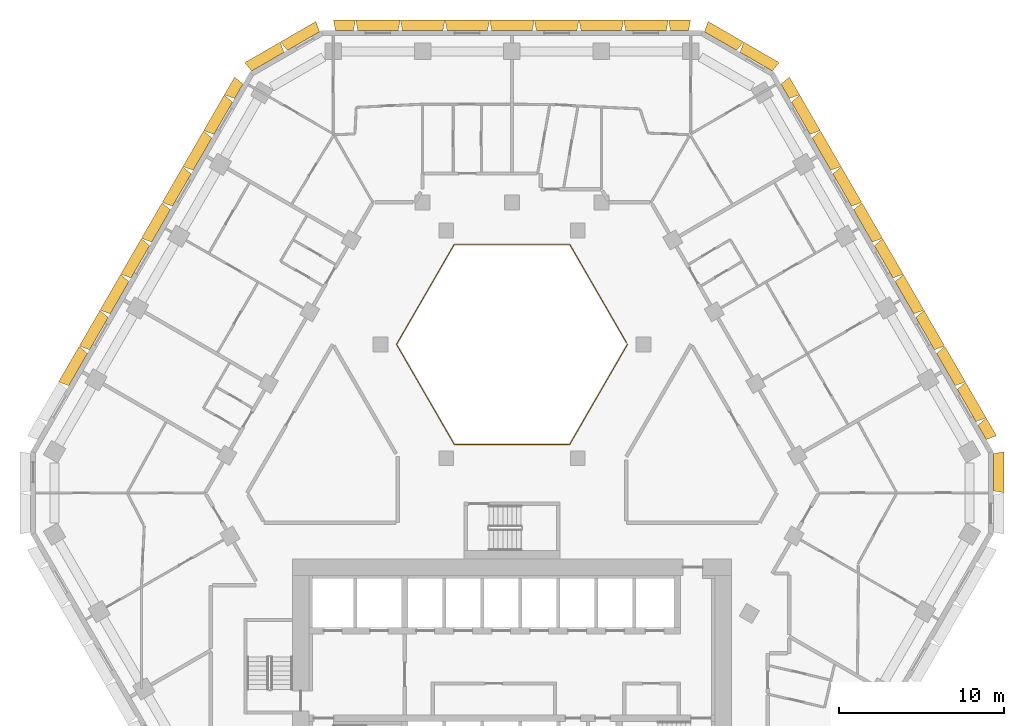
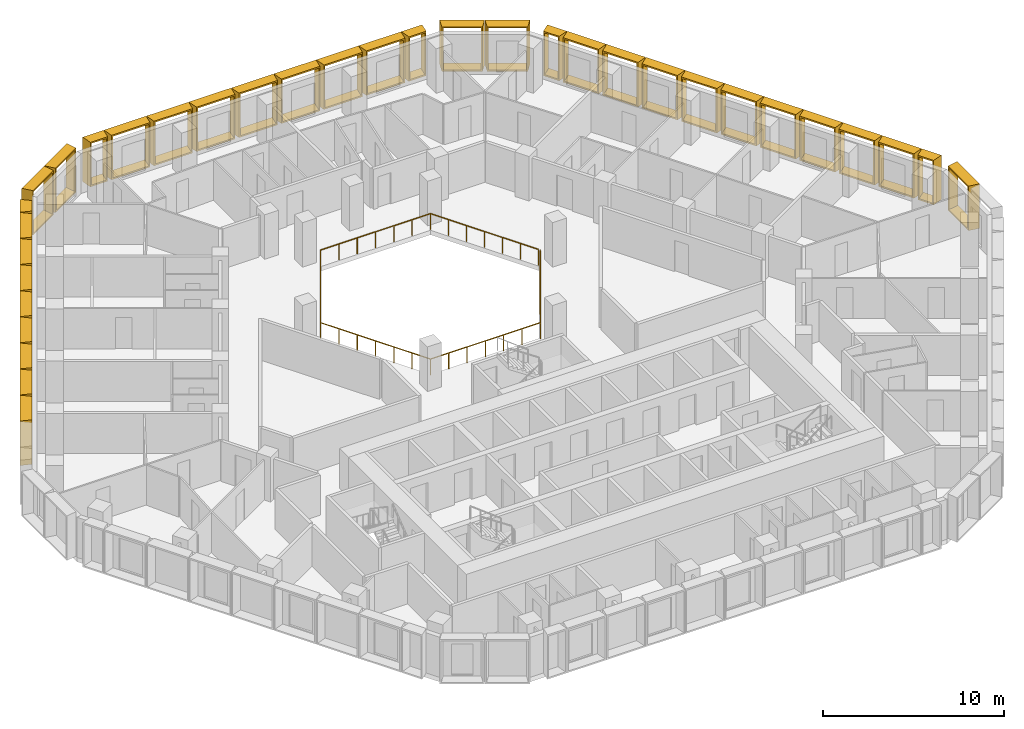
# One storey, part 15 of 15: 34 shading devices, 1 railing.
"""IFC4 building model written with IfcOpenShell, lengths in metres."""

from ifc_helpers import new_model, entity, si_unit, direction, frame, origin, origin_2d, place, context, subcontext, project, spatial, rectangle, extrude, source, transform, mapped, material, type_object, type_shapes, element, save


model = new_model("IFC4")

# Units and contexts
model_context = context("Model", 3, precision=1e-05, world=origin(), true_north=direction((0.0, 1.0)))
body_context = subcontext(model_context, "Body", "Model", "MODEL_VIEW")
ifc_project = project(units=[si_unit("LENGTHUNIT", "METRE"), si_unit("AREAUNIT", "SQUARE_METRE"), si_unit("VOLUMEUNIT", "CUBIC_METRE"), si_unit("PLANEANGLEUNIT", "RADIAN"), si_unit("MASSUNIT", "GRAM", prefix="KILO")], contexts=[model_context])

# Site, building, storey
site_placement = place(None, origin())
site = spatial("IfcSite", under=ifc_project, at=site_placement, CompositionType="ELEMENT")
building_placement = place(site_placement, origin())
building = spatial("IfcBuilding", under=site, at=building_placement, Name="Beryl Residences", CompositionType="ELEMENT")
storey_placement = place(building_placement, frame((0.0, 0.0, 84.0)))
storey = spatial("IfcBuildingStorey", under=building, at=storey_placement, Name="L25", CompositionType="ELEMENT", Elevation=84.0)

# Railing
ifc_material_1 = material(Name="Stainless steel balustrade with glass infill", Category="steel")
railing_type = type_object("IfcRailingType", Name="EG1 edge guard 1100 mm", PredefinedType="GUARDRAIL", material=ifc_material_1)
railing_placement = place(storey_placement, frame((6.9970703125, 8.0, 0.0)))
element("IfcRailing", 1, at=railing_placement, inside=storey, type_object=railing_type, Name="L25 atrium guard", PredefinedType="GUARDRAIL", context=body_context, shape_type="SweptSolid", body=[
    extrude(rectangle(XDim=0.048095703125, YDim=0.048095703125, at=origin_2d()), frame((0.0, 0.0, 1.076171875), z_axis=(-0.499921796684, -0.866070549782, 0.0), x_axis=(0.866070549782, -0.499921796684, 0.0)), (0.0, 0.0, 1.0), 6.9970703125),
    extrude(rectangle(XDim=0.048095703125, YDim=0.048095703125, at=origin_2d()), frame((-3.498046875, -6.06005859375, 1.076171875), z_axis=(-1.0, 0.0, 0.0), x_axis=(0.0, -1.0, 0.0)), (0.0, 0.0, 1.0), 6.998046875),
    extrude(rectangle(XDim=0.048095703125, YDim=0.048095703125, at=origin_2d()), frame((-10.49609375, -6.06005859375, 1.076171875), z_axis=(-0.499921796684, 0.866070549782, 0.0), x_axis=(-0.866070549782, -0.499921796684, 0.0)), (0.0, 0.0, 1.0), 6.9970703125),
    extrude(rectangle(XDim=0.048095703125, YDim=0.048095703125, at=origin_2d()), frame((-13.994140625, 0.0, 1.076171875), z_axis=(0.499921796684, 0.866070549782, 0.0), x_axis=(-0.866070549782, 0.499921796684, 0.0)), (0.0, 0.0, 1.0), 6.9970703125),
    extrude(rectangle(XDim=0.048095703125, YDim=0.048095703125, at=origin_2d()), frame((-10.49609375, 6.06005859375, 1.076171875), z_axis=(1.0, 0.0, 0.0), x_axis=(0.0, 1.0, 0.0)), (0.0, 0.0, 1.0), 6.998046875),
    extrude(rectangle(XDim=0.048095703125, YDim=0.048095703125, at=origin_2d()), frame((-3.498046875, 6.06005859375, 1.076171875), z_axis=(0.499919131929, -0.866072087953, 0.0), x_axis=(0.866072087953, 0.499919131929, 0.0)), (0.0, 0.0, 1.0), 6.877197265625),
    extrude(rectangle(XDim=0.0419921875, YDim=0.0419921875, at=origin_2d()), origin(), (0.0, 0.0, 1.0), 1.052001953125),
    extrude(rectangle(XDim=0.0419921875, YDim=0.0419921875, at=origin_2d()), frame((-0.5830078125, -1.010009765625, 0.0)), (0.0, 0.0, 1.0), 1.052001953125),
    extrude(rectangle(XDim=0.0419921875, YDim=0.0419921875, at=origin_2d()), frame((-1.166015625, -2.02001953125, 0.0)), (0.0, 0.0, 1.0), 1.052001953125),
    extrude(rectangle(XDim=0.0419921875, YDim=0.0419921875, at=origin_2d()), frame((-1.7490234375, -3.030029296875, 0.0)), (0.0, 0.0, 1.0), 1.052001953125),
    extrude(rectangle(XDim=0.0419921875, YDim=0.0419921875, at=origin_2d()), frame((-2.33203125, -4.0400390625, 0.0)), (0.0, 0.0, 1.0), 1.052001953125),
    extrude(rectangle(XDim=0.0419921875, YDim=0.0419921875, at=origin_2d()), frame((-2.9150390625, -5.050048828125, 0.0)), (0.0, 0.0, 1.0), 1.052001953125),
    extrude(rectangle(XDim=0.0419921875, YDim=0.0419921875, at=origin_2d()), frame((-3.498046875, -6.06005859375, 0.0)), (0.0, 0.0, 1.0), 1.052001953125),
    extrude(rectangle(XDim=0.0419921875, YDim=0.0419921875, at=origin_2d()), frame((-4.664306640625, -6.06005859375, 0.0)), (0.0, 0.0, 1.0), 1.052001953125),
    extrude(rectangle(XDim=0.0419921875, YDim=0.0419921875, at=origin_2d()), frame((-5.830810546875, -6.06005859375, 0.0)), (0.0, 0.0, 1.0), 1.052001953125),
    extrude(rectangle(XDim=0.0419921875, YDim=0.0419921875, at=origin_2d()), frame((-6.9970703125, -6.06005859375, 0.0)), (0.0, 0.0, 1.0), 1.052001953125),
    extrude(rectangle(XDim=0.0419921875, YDim=0.0419921875, at=origin_2d()), frame((-8.163330078125, -6.06005859375, 0.0)), (0.0, 0.0, 1.0), 1.052001953125),
    extrude(rectangle(XDim=0.0419921875, YDim=0.0419921875, at=origin_2d()), frame((-9.329833984375, -6.06005859375, 0.0)), (0.0, 0.0, 1.0), 1.052001953125),
    extrude(rectangle(XDim=0.0419921875, YDim=0.0419921875, at=origin_2d()), frame((-10.49609375, -6.06005859375, 0.0)), (0.0, 0.0, 1.0), 1.052001953125),
    extrude(rectangle(XDim=0.0419921875, YDim=0.0419921875, at=origin_2d()), frame((-11.0791015625, -5.050048828125, 0.0)), (0.0, 0.0, 1.0), 1.052001953125),
    extrude(rectangle(XDim=0.0419921875, YDim=0.0419921875, at=origin_2d()), frame((-11.662109375, -4.0400390625, 0.0)), (0.0, 0.0, 1.0), 1.052001953125),
    extrude(rectangle(XDim=0.0419921875, YDim=0.0419921875, at=origin_2d()), frame((-12.2451171875, -3.030029296875, 0.0)), (0.0, 0.0, 1.0), 1.052001953125),
    extrude(rectangle(XDim=0.0419921875, YDim=0.0419921875, at=origin_2d()), frame((-12.828125, -2.02001953125, 0.0)), (0.0, 0.0, 1.0), 1.052001953125),
    extrude(rectangle(XDim=0.0419921875, YDim=0.0419921875, at=origin_2d()), frame((-13.4111328125, -1.010009765625, 0.0)), (0.0, 0.0, 1.0), 1.052001953125),
    extrude(rectangle(XDim=0.0419921875, YDim=0.0419921875, at=origin_2d()), frame((-13.994140625, 0.0, 0.0)), (0.0, 0.0, 1.0), 1.052001953125),
    extrude(rectangle(XDim=0.0419921875, YDim=0.0419921875, at=origin_2d()), frame((-13.4111328125, 1.010009765625, 0.0)), (0.0, 0.0, 1.0), 1.052001953125),
    extrude(rectangle(XDim=0.0419921875, YDim=0.0419921875, at=origin_2d()), frame((-12.828125, 2.02001953125, 0.0)), (0.0, 0.0, 1.0), 1.052001953125),
    extrude(rectangle(XDim=0.0419921875, YDim=0.0419921875, at=origin_2d()), frame((-12.2451171875, 3.030029296875, 0.0)), (0.0, 0.0, 1.0), 1.052001953125),
    extrude(rectangle(XDim=0.0419921875, YDim=0.0419921875, at=origin_2d()), frame((-11.662109375, 4.0400390625, 0.0)), (0.0, 0.0, 1.0), 1.052001953125),
    extrude(rectangle(XDim=0.0419921875, YDim=0.0419921875, at=origin_2d()), frame((-11.0791015625, 5.050048828125, 0.0)), (0.0, 0.0, 1.0), 1.052001953125),
    extrude(rectangle(XDim=0.0419921875, YDim=0.0419921875, at=origin_2d()), frame((-10.49609375, 6.06005859375, 0.0)), (0.0, 0.0, 1.0), 1.052001953125),
    extrude(rectangle(XDim=0.0419921875, YDim=0.0419921875, at=origin_2d()), frame((-9.329833984375, 6.06005859375, 0.0)), (0.0, 0.0, 1.0), 1.052001953125),
    extrude(rectangle(XDim=0.0419921875, YDim=0.0419921875, at=origin_2d()), frame((-8.163330078125, 6.06005859375, 0.0)), (0.0, 0.0, 1.0), 1.052001953125),
    extrude(rectangle(XDim=0.0419921875, YDim=0.0419921875, at=origin_2d()), frame((-6.9970703125, 6.06005859375, 0.0)), (0.0, 0.0, 1.0), 1.052001953125),
    extrude(rectangle(XDim=0.0419921875, YDim=0.0419921875, at=origin_2d()), frame((-5.830810546875, 6.06005859375, 0.0)), (0.0, 0.0, 1.0), 1.052001953125),
    extrude(rectangle(XDim=0.0419921875, YDim=0.0419921875, at=origin_2d()), frame((-4.664306640625, 6.06005859375, 0.0)), (0.0, 0.0, 1.0), 1.052001953125),
    extrude(rectangle(XDim=0.0419921875, YDim=0.0419921875, at=origin_2d()), frame((-3.498046875, 6.06005859375, 0.0)), (0.0, 0.0, 1.0), 1.052001953125),
    extrude(rectangle(XDim=0.0419921875, YDim=0.0419921875, at=origin_2d()), frame((-2.925048828125, 5.0673828125, 0.0)), (0.0, 0.0, 1.0), 1.052001953125),
    extrude(rectangle(XDim=0.0419921875, YDim=0.0419921875, at=origin_2d()), frame((-2.35205078125, 4.07470703125, 0.0)), (0.0, 0.0, 1.0), 1.052001953125),
    extrude(rectangle(XDim=0.0419921875, YDim=0.0419921875, at=origin_2d()), frame((-1.779052734375, 3.08203125, 0.0)), (0.0, 0.0, 1.0), 1.052001953125),
    extrude(rectangle(XDim=0.0419921875, YDim=0.0419921875, at=origin_2d()), frame((-1.2060546875, 2.08935546875, 0.0)), (0.0, 0.0, 1.0), 1.052001953125),
    extrude(rectangle(XDim=0.0419921875, YDim=0.0419921875, at=origin_2d()), frame((-0.633056640625, 1.0966796875, 0.0)), (0.0, 0.0, 1.0), 1.052001953125),
    extrude(rectangle(XDim=0.0419921875, YDim=0.0419921875, at=origin_2d()), frame((-0.06005859375, 0.10400390625, 0.0)), (0.0, 0.0, 1.0), 1.052001953125),
])

# Shading devices
ifc_material_2 = material(Name="Aluminium pale anodised", Category="aluminium")
shading_device_type_1 = type_object("IfcShadingDeviceType", Name="FR126-65A OUTER SKIN frame 650 mm deep, splay 10/10 deg, 1260 x 3000 mm cell", PredefinedType="USERDEFINED", material=ifc_material_2)
cartesian_point_1 = entity("IfcCartesianPoint", [-0.5048828125, 0.0])
cartesian_point_2 = entity("IfcCartesianPoint", [-0.423828125, 0.10009765625])
cartesian_point_3 = entity("IfcCartesianPoint", [-0.61962890625, 0.0])
cartesian_point_4 = entity("IfcCartesianPoint", [-0.538330078125, 0.10009765625])
shared_shape_1 = source(origin(), body_context, "Body", "SweptSolid", [
    entity("IfcExtrudedAreaSolidTapered", entity("IfcArbitraryProfileDefWithVoids", "AREA", None, entity("IfcPolyline", [cartesian_point_1, entity("IfcCartesianPoint", [0.5048828125, 0.0]), entity("IfcCartesianPoint", [0.5048828125, 3.0]), entity("IfcCartesianPoint", [-0.5048828125, 3.0]), cartesian_point_1]), [entity("IfcPolyline", [cartesian_point_2, entity("IfcCartesianPoint", [0.423828125, 0.10009765625]), entity("IfcCartesianPoint", [0.423828125, 2.89990234375]), entity("IfcCartesianPoint", [-0.423828125, 2.89990234375]), cartesian_point_2])]), entity("IfcAxis2Placement3D", entity("IfcCartesianPoint", [0.0, 0.0, 0.0]), entity("IfcDirection", [0.0, 1.0, 0.0]), entity("IfcDirection", [-1.0, 0.0, 0.0])), entity("IfcDirection", [0.0, 0.0, 1.0]), 0.64990234375, entity("IfcArbitraryProfileDefWithVoids", "AREA", None, entity("IfcPolyline", [cartesian_point_3, entity("IfcCartesianPoint", [0.61962890625, 0.0]), entity("IfcCartesianPoint", [0.61962890625, 3.0]), entity("IfcCartesianPoint", [-0.61962890625, 3.0]), cartesian_point_3]), [entity("IfcPolyline", [cartesian_point_4, entity("IfcCartesianPoint", [0.538330078125, 0.10009765625]), entity("IfcCartesianPoint", [0.538330078125, 2.89990234375]), entity("IfcCartesianPoint", [-0.538330078125, 2.89990234375]), cartesian_point_4])])),
])
type_shapes(shading_device_type_1, [shared_shape_1])
for number, where, z_axis, x_axis, name in (
    (2, (-16.552001953125, 23.33203125, 0.0), (0.0, 0.0, 1.0), (0.5, 0.866025403784, 0.0), "FR126-65A frame L25 NW 1"),
    (3, (28.48193359375, 2.66796875, 0.0), (0.0, 0.0, 1.0), (0.5, -0.866025403784, 0.0), "FR126-65A frame L25 NE 1"),
    (4, (16.552001953125, 23.3310546875, 0.0), (0.0, 0.0, 1.0), (0.5, -0.866025403784, 0.0), "FR126-65A frame L25 NE 11"),
):
    element("IfcShadingDevice", number, at=place(storey_placement, frame(where, z_axis=z_axis, x_axis=x_axis)), inside=storey, type_object=shading_device_type_1, Name=name, ObjectType="OUTER SKIN", PredefinedType="USERDEFINED", context=body_context, shape_type="MappedRepresentation", body=[
        mapped(shared_shape_1, transform((0.0, 0.0, 0.0))),
    ])
ifc_material_3 = material(Name="Aluminium pale anodised", Category="aluminium")
shading_device_type_2 = type_object("IfcShadingDeviceType", Name="FR135-65A OUTER SKIN frame 650 mm deep, splay 10/10 deg, 1350 x 3000 mm cell", PredefinedType="USERDEFINED", material=ifc_material_3)
cartesian_point_5 = entity("IfcCartesianPoint", [-0.550048828125, 0.0])
cartesian_point_6 = entity("IfcCartesianPoint", [-0.46875, 0.10009765625])
cartesian_point_7 = entity("IfcCartesianPoint", [-0.66455078125, 0.0])
cartesian_point_8 = entity("IfcCartesianPoint", [-0.58349609375, 0.10009765625])
shared_shape_2 = source(origin(), body_context, "Body", "SweptSolid", [
    entity("IfcExtrudedAreaSolidTapered", entity("IfcArbitraryProfileDefWithVoids", "AREA", None, entity("IfcPolyline", [cartesian_point_5, entity("IfcCartesianPoint", [0.550048828125, 0.0]), entity("IfcCartesianPoint", [0.550048828125, 3.0]), entity("IfcCartesianPoint", [-0.550048828125, 3.0]), cartesian_point_5]), [entity("IfcPolyline", [cartesian_point_6, entity("IfcCartesianPoint", [0.46875, 0.10009765625]), entity("IfcCartesianPoint", [0.46875, 2.89990234375]), entity("IfcCartesianPoint", [-0.46875, 2.89990234375]), cartesian_point_6])]), entity("IfcAxis2Placement3D", entity("IfcCartesianPoint", [0.0, 0.0, 0.0]), entity("IfcDirection", [0.0, 1.0, 0.0]), entity("IfcDirection", [-1.0, 0.0, 0.0])), entity("IfcDirection", [0.0, 0.0, 1.0]), 0.64990234375, entity("IfcArbitraryProfileDefWithVoids", "AREA", None, entity("IfcPolyline", [cartesian_point_7, entity("IfcCartesianPoint", [0.66455078125, 0.0]), entity("IfcCartesianPoint", [0.66455078125, 3.0]), entity("IfcCartesianPoint", [-0.66455078125, 3.0]), cartesian_point_7]), [entity("IfcPolyline", [cartesian_point_8, entity("IfcCartesianPoint", [0.58349609375, 0.10009765625]), entity("IfcCartesianPoint", [0.58349609375, 2.89990234375]), entity("IfcCartesianPoint", [-0.58349609375, 2.89990234375]), cartesian_point_8])])),
])
type_shapes(shading_device_type_2, [shared_shape_2])
for number, where, z_axis, x_axis, name in (
    (5, (10.14794921875, 27.0, 0.0), (0.0, 0.0, 1.0), (1.0, 0.0, 0.0), "FR135-65A frame L25 N 1"),
    (6, (-10.14990234375, 27.0, 0.0), (0.0, 0.0, 1.0), (1.0, 0.0, 0.0), "FR135-65A frame L25 N 9"),
):
    element("IfcShadingDevice", number, at=place(storey_placement, frame(where, z_axis=z_axis, x_axis=x_axis)), inside=storey, type_object=shading_device_type_2, Name=name, ObjectType="OUTER SKIN", PredefinedType="USERDEFINED", context=body_context, shape_type="MappedRepresentation", body=[
        mapped(shared_shape_2, transform((0.0, 0.0, 0.0))),
    ])
ifc_material_4 = material(Name="Aluminium pale anodised", Category="aluminium")
shading_device_type_3 = type_object("IfcShadingDeviceType", Name="FR250-65A OUTER SKIN frame 650 mm deep, splay 10/10 deg, 2500 x 3000 mm cell", PredefinedType="USERDEFINED", material=ifc_material_4)
cartesian_point_9 = entity("IfcCartesianPoint", [-1.125, 0.0])
cartesian_point_10 = entity("IfcCartesianPoint", [-1.043701171875, 0.10009765625])
cartesian_point_11 = entity("IfcCartesianPoint", [-1.239501953125, 0.0])
cartesian_point_12 = entity("IfcCartesianPoint", [-1.158447265625, 0.10009765625])
shared_shape_3 = source(origin(), body_context, "Body", "SweptSolid", [
    entity("IfcExtrudedAreaSolidTapered", entity("IfcArbitraryProfileDefWithVoids", "AREA", None, entity("IfcPolyline", [cartesian_point_9, entity("IfcCartesianPoint", [1.125, 0.0]), entity("IfcCartesianPoint", [1.125, 3.0]), entity("IfcCartesianPoint", [-1.125, 3.0]), cartesian_point_9]), [entity("IfcPolyline", [cartesian_point_10, entity("IfcCartesianPoint", [1.043701171875, 0.10009765625]), entity("IfcCartesianPoint", [1.043701171875, 2.89990234375]), entity("IfcCartesianPoint", [-1.043701171875, 2.89990234375]), cartesian_point_10])]), entity("IfcAxis2Placement3D", entity("IfcCartesianPoint", [0.0, 0.0, 0.0]), entity("IfcDirection", [0.0, 1.0, 0.0]), entity("IfcDirection", [-1.0, 0.0, 0.0])), entity("IfcDirection", [0.0, 0.0, 1.0]), 0.64990234375, entity("IfcArbitraryProfileDefWithVoids", "AREA", None, entity("IfcPolyline", [cartesian_point_11, entity("IfcCartesianPoint", [1.239501953125, 0.0]), entity("IfcCartesianPoint", [1.239501953125, 3.0]), entity("IfcCartesianPoint", [-1.239501953125, 3.0]), cartesian_point_11]), [entity("IfcPolyline", [cartesian_point_12, entity("IfcCartesianPoint", [1.158447265625, 0.10009765625]), entity("IfcCartesianPoint", [1.158447265625, 2.89990234375]), entity("IfcCartesianPoint", [-1.158447265625, 2.89990234375]), cartesian_point_12])])),
])
type_shapes(shading_device_type_3, [shared_shape_3])
for number, where, z_axis, x_axis, name in (
    (7, (-12.6298828125, 26.375, 0.0), (0.0, 0.0, 1.0), (0.866025403784, 0.5, 0.0), "FR250-65A frame L25 N-NW 1"),
    (8, (-14.7939453125, 25.125, 0.0), (0.0, 0.0, 1.0), (0.866025403784, 0.5, 0.0), "FR250-65A frame L25 N-NW 2"),
    (9, (29.156982421875, 0.25, 0.0), (0.0, 0.0, 1.0), (0.0, -1.0, 0.0), "FR250-65A frame L25 SE-NE 2"),
    (10, (14.7939453125, 25.125, 0.0), (0.0, 0.0, 1.0), (0.866025403784, -0.5, 0.0), "FR250-65A frame L25 NE-N 1"),
    (11, (12.6298828125, 26.375, 0.0), (0.0, 0.0, 1.0), (0.866025403784, -0.5, 0.0), "FR250-65A frame L25 NE-N 2"),
):
    element("IfcShadingDevice", number, at=place(storey_placement, frame(where, z_axis=z_axis, x_axis=x_axis)), inside=storey, type_object=shading_device_type_3, Name=name, ObjectType="OUTER SKIN", PredefinedType="USERDEFINED", context=body_context, shape_type="MappedRepresentation", body=[
        mapped(shared_shape_3, transform((0.0, 0.0, 0.0))),
    ])
ifc_material_5 = material(Name="Aluminium pale anodised", Category="aluminium")
shading_device_type_4 = type_object("IfcShadingDeviceType", Name="FR251-65A OUTER SKIN frame 650 mm deep, splay 10/10 deg, 2510 x 3000 mm cell", PredefinedType="USERDEFINED", material=ifc_material_5)
cartesian_point_13 = entity("IfcCartesianPoint", [-1.1298828125, 0.0])
cartesian_point_14 = entity("IfcCartesianPoint", [-1.048828125, 0.10009765625])
cartesian_point_15 = entity("IfcCartesianPoint", [-1.24462890625, 0.0])
cartesian_point_16 = entity("IfcCartesianPoint", [-1.163330078125, 0.10009765625])
shared_shape_4 = source(origin(), body_context, "Body", "SweptSolid", [
    entity("IfcExtrudedAreaSolidTapered", entity("IfcArbitraryProfileDefWithVoids", "AREA", None, entity("IfcPolyline", [cartesian_point_13, entity("IfcCartesianPoint", [1.1298828125, 0.0]), entity("IfcCartesianPoint", [1.1298828125, 3.0]), entity("IfcCartesianPoint", [-1.1298828125, 3.0]), cartesian_point_13]), [entity("IfcPolyline", [cartesian_point_14, entity("IfcCartesianPoint", [1.048828125, 0.10009765625]), entity("IfcCartesianPoint", [1.048828125, 2.89990234375]), entity("IfcCartesianPoint", [-1.048828125, 2.89990234375]), cartesian_point_14])]), entity("IfcAxis2Placement3D", entity("IfcCartesianPoint", [0.0, 0.0, 0.0]), entity("IfcDirection", [0.0, 1.0, 0.0]), entity("IfcDirection", [-1.0, 0.0, 0.0])), entity("IfcDirection", [0.0, 0.0, 1.0]), 0.64990234375, entity("IfcArbitraryProfileDefWithVoids", "AREA", None, entity("IfcPolyline", [cartesian_point_15, entity("IfcCartesianPoint", [1.24462890625, 0.0]), entity("IfcCartesianPoint", [1.24462890625, 3.0]), entity("IfcCartesianPoint", [-1.24462890625, 3.0]), cartesian_point_15]), [entity("IfcPolyline", [cartesian_point_16, entity("IfcCartesianPoint", [1.163330078125, 0.10009765625]), entity("IfcCartesianPoint", [1.163330078125, 2.89990234375]), entity("IfcCartesianPoint", [-1.163330078125, 2.89990234375]), cartesian_point_16])])),
])
type_shapes(shading_device_type_4, [shared_shape_4])
for number, where, z_axis, x_axis, name in (
    (12, (-17.493896484375, 21.699951171875, 0.0), (0.0, 0.0, 1.0), (0.5, 0.866025403784, 0.0), "FR251-65A frame L25 NW 2"),
    (13, (-18.7490234375, 19.52490234375, 0.0), (0.0, 0.0, 1.0), (0.5, 0.866025403784, 0.0), "FR251-65A frame L25 NW 3"),
    (14, (-20.0048828125, 17.35009765625, 0.0), (0.0, 0.0, 1.0), (0.5, 0.866025403784, 0.0), "FR251-65A frame L25 NW 4"),
    (15, (-21.260986328125, 15.175048828125, 0.0), (0.0, 0.0, 1.0), (0.5, 0.866025403784, 0.0), "FR251-65A frame L25 NW 5"),
    (16, (-22.51708984375, 13.0, 0.0), (0.0, 0.0, 1.0), (0.5, 0.866025403784, 0.0), "FR251-65A frame L25 NW 6"),
    (17, (-23.77294921875, 10.824951171875, 0.0), (0.0, 0.0, 1.0), (0.5, 0.866025403784, 0.0), "FR251-65A frame L25 NW 7"),
    (18, (-25.028076171875, 8.64990234375, 0.0), (0.0, 0.0, 1.0), (0.5, 0.866025403784, 0.0), "FR251-65A frame L25 NW 8"),
    (19, (-26.283935546875, 6.47509765625, 0.0), (0.0, 0.0, 1.0), (0.5, 0.866025403784, 0.0), "FR251-65A frame L25 NW 9"),
    (20, (27.5400390625, 4.300048828125, 0.0), (0.0, 0.0, 1.0), (0.5, -0.866025403784, 0.0), "FR251-65A frame L25 NE 2"),
    (21, (26.284912109375, 6.47509765625, 0.0), (0.0, 0.0, 1.0), (0.5, -0.866025403784, 0.0), "FR251-65A frame L25 NE 3"),
    (22, (25.029052734375, 8.64990234375, 0.0), (0.0, 0.0, 1.0), (0.5, -0.866025403784, 0.0), "FR251-65A frame L25 NE 4"),
    (23, (23.77294921875, 10.824951171875, 0.0), (0.0, 0.0, 1.0), (0.5, -0.866025403784, 0.0), "FR251-65A frame L25 NE 5"),
    (24, (22.51708984375, 13.0, 0.0), (0.0, 0.0, 1.0), (0.5, -0.866025403784, 0.0), "FR251-65A frame L25 NE 6"),
    (25, (21.260986328125, 15.175048828125, 0.0), (0.0, 0.0, 1.0), (0.5, -0.866025403784, 0.0), "FR251-65A frame L25 NE 7"),
    (26, (20.006103515625, 17.35009765625, 0.0), (0.0, 0.0, 1.0), (0.5, -0.866025403784, 0.0), "FR251-65A frame L25 NE 8"),
    (27, (18.75, 19.52490234375, 0.0), (0.0, 0.0, 1.0), (0.5, -0.866025403784, 0.0), "FR251-65A frame L25 NE 9"),
    (28, (17.493896484375, 21.699951171875, 0.0), (0.0, 0.0, 1.0), (0.5, -0.866025403784, 0.0), "FR251-65A frame L25 NE 10"),
):
    element("IfcShadingDevice", number, at=place(storey_placement, frame(where, z_axis=z_axis, x_axis=x_axis)), inside=storey, type_object=shading_device_type_4, Name=name, ObjectType="OUTER SKIN", PredefinedType="USERDEFINED", context=body_context, shape_type="MappedRepresentation", body=[
        mapped(shared_shape_4, transform((0.0, 0.0, 0.0))),
    ])
ifc_material_6 = material(Name="Aluminium pale anodised", Category="aluminium")
shading_device_type_5 = type_object("IfcShadingDeviceType", Name="FR271-65A OUTER SKIN frame 650 mm deep, splay 10/10 deg, 2710 x 3000 mm cell", PredefinedType="USERDEFINED", material=ifc_material_6)
cartesian_point_17 = entity("IfcCartesianPoint", [-1.22998046875, 0.0])
cartesian_point_18 = entity("IfcCartesianPoint", [-1.148681640625, 0.10009765625])
cartesian_point_19 = entity("IfcCartesianPoint", [-1.3447265625, 0.0])
cartesian_point_20 = entity("IfcCartesianPoint", [-1.263427734375, 0.10009765625])
shared_shape_5 = source(origin(), body_context, "Body", "SweptSolid", [
    entity("IfcExtrudedAreaSolidTapered", entity("IfcArbitraryProfileDefWithVoids", "AREA", None, entity("IfcPolyline", [cartesian_point_17, entity("IfcCartesianPoint", [1.22998046875, 0.0]), entity("IfcCartesianPoint", [1.22998046875, 3.0]), entity("IfcCartesianPoint", [-1.22998046875, 3.0]), cartesian_point_17]), [entity("IfcPolyline", [cartesian_point_18, entity("IfcCartesianPoint", [1.148681640625, 0.10009765625]), entity("IfcCartesianPoint", [1.148681640625, 2.89990234375]), entity("IfcCartesianPoint", [-1.148681640625, 2.89990234375]), cartesian_point_18])]), entity("IfcAxis2Placement3D", entity("IfcCartesianPoint", [0.0, 0.0, 0.0]), entity("IfcDirection", [0.0, 1.0, 0.0]), entity("IfcDirection", [-1.0, 0.0, 0.0])), entity("IfcDirection", [0.0, 0.0, 1.0]), 0.64990234375, entity("IfcArbitraryProfileDefWithVoids", "AREA", None, entity("IfcPolyline", [cartesian_point_19, entity("IfcCartesianPoint", [1.3447265625, 0.0]), entity("IfcCartesianPoint", [1.3447265625, 3.0]), entity("IfcCartesianPoint", [-1.3447265625, 3.0]), cartesian_point_19]), [entity("IfcPolyline", [cartesian_point_20, entity("IfcCartesianPoint", [1.263427734375, 0.10009765625]), entity("IfcCartesianPoint", [1.263427734375, 2.89990234375]), entity("IfcCartesianPoint", [-1.263427734375, 2.89990234375]), cartesian_point_20])])),
])
type_shapes(shading_device_type_5, [shared_shape_5])
for number, where, z_axis, x_axis, name in (
    (29, (8.118896484375, 27.0, 0.0), (0.0, 0.0, 1.0), (1.0, 0.0, 0.0), "FR271-65A frame L25 N 2"),
    (30, (5.412109375, 27.0, 0.0), (0.0, 0.0, 1.0), (1.0, 0.0, 0.0), "FR271-65A frame L25 N 3"),
    (31, (2.705078125, 27.0, 0.0), (0.0, 0.0, 1.0), (1.0, 0.0, 0.0), "FR271-65A frame L25 N 4"),
    (32, (-0.0009765625, 27.0, 0.0), (0.0, 0.0, 1.0), (1.0, 0.0, 0.0), "FR271-65A frame L25 N 5"),
    (33, (-2.70703125, 27.0, 0.0), (0.0, 0.0, 1.0), (1.0, 0.0, 0.0), "FR271-65A frame L25 N 6"),
    (34, (-5.4140625, 27.0, 0.0), (0.0, 0.0, 1.0), (1.0, 0.0, 0.0), "FR271-65A frame L25 N 7"),
    (35, (-8.1201171875, 27.0, 0.0), (0.0, 0.0, 1.0), (1.0, 0.0, 0.0), "FR271-65A frame L25 N 8"),
):
    element("IfcShadingDevice", number, at=place(storey_placement, frame(where, z_axis=z_axis, x_axis=x_axis)), inside=storey, type_object=shading_device_type_5, Name=name, ObjectType="OUTER SKIN", PredefinedType="USERDEFINED", context=body_context, shape_type="MappedRepresentation", body=[
        mapped(shared_shape_5, transform((0.0, 0.0, 0.0))),
    ])

save(model, "model.ifc")
